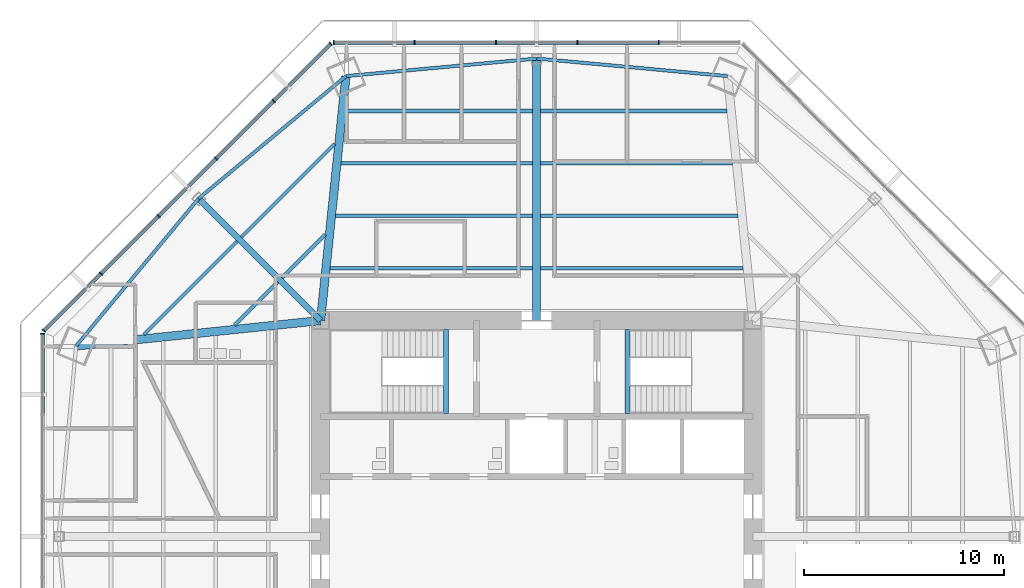
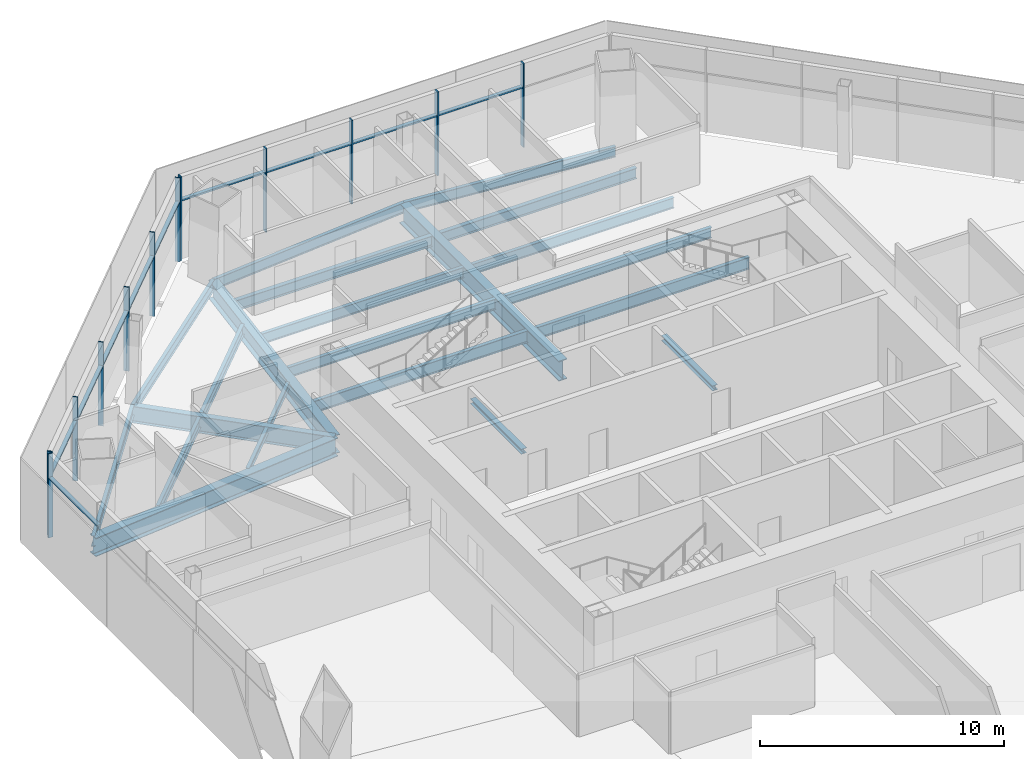
# One storey, part 5 of 14: 22 beams, 22 members, 3 elements without a shape of their own.
"""IFC4 building model written with IfcOpenShell, lengths in metres."""

from ifc_helpers import new_model, si_unit, direction, frame, origin, origin_2d, place, context, subcontext, project, spatial, rectangle, i_section, extrude, source, transform, mapped, material, material_profile, profile_set, type_object, type_shapes, element, aggregate, save


model = new_model("IFC4")

# Units and contexts
model_context = context("Model", 3, precision=1e-05, world=origin(), true_north=direction((0.0, 1.0)))
body_context = subcontext(model_context, "Body", "Model", "MODEL_VIEW")
ifc_project = project(units=[si_unit("LENGTHUNIT", "METRE"), si_unit("AREAUNIT", "SQUARE_METRE"), si_unit("VOLUMEUNIT", "CUBIC_METRE"), si_unit("PLANEANGLEUNIT", "RADIAN"), si_unit("MASSUNIT", "GRAM", prefix="KILO")], contexts=[model_context])

# Site, building, storey
site_placement = place(None, origin())
site = spatial("IfcSite", under=ifc_project, at=site_placement, CompositionType="ELEMENT")
building_placement = place(site_placement, origin())
building = spatial("IfcBuilding", under=site, at=building_placement, Name="Mashrafa Tower", CompositionType="ELEMENT")
storey_placement = place(building_placement, frame((0.0, 0.0, 117.60009765625)))
storey = spatial("IfcBuildingStorey", under=building, at=storey_placement, Name="L26", CompositionType="ELEMENT", Elevation=117.60009765625)

# Beams
ifc_material_1 = material(Name="Steel ASTM A992", Category="steel")
ifc_material_profile_1 = material_profile(ifc_material_1, i_section(OverallWidth=0.164794921875, OverallDepth=0.309814453125, WebThickness=0.005859375, FlangeThickness=0.009765625, FilletRadius=0.007568359375, at=origin_2d()), Name="W12X26")
ifc_profile_set_1 = profile_set([ifc_material_profile_1], Name="Steel ASTM A992")
beam_type_1 = type_object("IfcBeamType", Name="Beam W12X26", PredefinedType="BEAM", material=ifc_profile_set_1)
for number, where, z_axis, x_axis, name in (
    (1, (-15.098388671875, 10.564697265625, -0.320068359375), (0.707106781187, 0.707106781187, 0.0), (-0.707106781187, 0.707106781187, 0.0), "Floor beam L26 008"),
    (2, (-12.728271484375, 12.934814453125, -0.320068359375), (0.707106781187, 0.707106781187, 0.0), (-0.707106781187, 0.707106781187, 0.0), "Floor beam L26 014"),
):
    element("IfcBeam", number, at=place(storey_placement, frame(where, z_axis=z_axis, x_axis=x_axis)), inside=storey, type_object=beam_type_1, Name=name, PredefinedType="BEAM", context=body_context, shape_type="SweptSolid", body=[
        extrude(i_section(OverallWidth=0.164794921875, OverallDepth=0.309814453125, WebThickness=0.005859375, FlangeThickness=0.009765625, FilletRadius=0.007568359375, at=origin_2d()), origin(), (0.0, 0.0, 1.0), 3.059814453125),
    ])
ifc_material_2 = material(Name="Steel ASTM A992", Category="steel")
ifc_material_profile_2 = material_profile(ifc_material_2, i_section(OverallWidth=0.1650390625, OverallDepth=0.52587890625, WebThickness=0.0087890625, FlangeThickness=0.011474609375, FilletRadius=0.0126953125, at=origin_2d()), Name="W21X44")
ifc_profile_set_2 = profile_set([ifc_material_profile_2], Name="Steel ASTM A992")
beam_type_2 = type_object("IfcBeamType", Name="Beam W21X44", PredefinedType="BEAM", material=ifc_profile_set_2)
for number, where, z_axis, x_axis, name in (
    (3, (-19.631591796875, 10.094482421875, -0.427978515625), (0.707106781187, 0.707106781187, 0.0), (-0.707106781187, 0.707106781187, 0.0), "Floor beam L26 003"),
    (4, (-14.759765625, 14.96630859375, -0.427978515625), (0.707106781187, 0.707106781187, 0.0), (-0.707106781187, 0.707106781187, 0.0), "Floor beam L26 010"),
):
    element("IfcBeam", number, at=place(storey_placement, frame(where, z_axis=z_axis, x_axis=x_axis)), inside=storey, type_object=beam_type_2, Name=name, PredefinedType="BEAM", context=body_context, shape_type="SweptSolid", body=[
        extrude(i_section(OverallWidth=0.1650390625, OverallDepth=0.52587890625, WebThickness=0.0087890625, FlangeThickness=0.011474609375, FilletRadius=0.0126953125, at=origin_2d()), origin(), (0.0, 0.0, 1.0), 6.59765625),
    ])
beam_1_placement = place(storey_placement, frame((-10.0458984375, 16.037109375, -0.427978515625), z_axis=(1.0, 0.0, 0.0), x_axis=(0.0, 1.0, 0.0)))
element("IfcBeam", 5, at=beam_1_placement, inside=storey, type_object=beam_type_2, Name="Floor beam L26 017", PredefinedType="BEAM", context=body_context, shape_type="SweptSolid", body=[
    extrude(i_section(OverallWidth=0.1650390625, OverallDepth=0.52587890625, WebThickness=0.0087890625, FlangeThickness=0.011474609375, FilletRadius=0.0126953125, at=origin_2d()), origin(), (0.0, 0.0, 1.0), 9.84521484375),
])
beam_2_placement = place(storey_placement, frame((-9.7744140625, 18.655517578125, -0.427978515625), z_axis=(1.0, 0.0, 0.0), x_axis=(0.0, 1.0, 0.0)))
element("IfcBeam", 6, at=beam_2_placement, inside=storey, type_object=beam_type_2, Name="Floor beam L26 018", PredefinedType="BEAM", context=body_context, shape_type="SweptSolid", body=[
    extrude(i_section(OverallWidth=0.1650390625, OverallDepth=0.52587890625, WebThickness=0.0087890625, FlangeThickness=0.011474609375, FilletRadius=0.0126953125, at=origin_2d()), origin(), (0.0, 0.0, 1.0), 9.57373046875),
])
beam_3_placement = place(storey_placement, frame((0.20068359375, 16.037109375, -0.427978515625), z_axis=(1.0, 0.0, 0.0), x_axis=(0.0, 1.0, 0.0)))
element("IfcBeam", 7, at=beam_3_placement, inside=storey, type_object=beam_type_2, Name="Floor beam L26 026", PredefinedType="BEAM", context=body_context, shape_type="SweptSolid", body=[
    extrude(i_section(OverallWidth=0.1650390625, OverallDepth=0.52587890625, WebThickness=0.0087890625, FlangeThickness=0.011474609375, FilletRadius=0.0126953125, at=origin_2d()), origin(), (0.0, 0.0, 1.0), 9.84521484375),
])
beam_4_placement = place(storey_placement, frame((0.20068359375, 18.655517578125, -0.427978515625), z_axis=(1.0, 0.0, 0.0), x_axis=(0.0, 1.0, 0.0)))
element("IfcBeam", 8, at=beam_4_placement, inside=storey, type_object=beam_type_2, Name="Floor beam L26 027", PredefinedType="BEAM", context=body_context, shape_type="SweptSolid", body=[
    extrude(i_section(OverallWidth=0.1650390625, OverallDepth=0.52587890625, WebThickness=0.0087890625, FlangeThickness=0.011474609375, FilletRadius=0.0126953125, at=origin_2d()), origin(), (0.0, 0.0, 1.0), 9.57373046875),
])
for number, where, z_axis, x_axis, name in (
    (9, (-16.894775390625, 16.894775390625, -0.427978515625), (-0.639245764608, -0.769002504827, 0.0), (0.769002504827, -0.639245764608, 0.0), "Spandrel beam L26 069"),
    (10, (-9.532958984375, 23.014404296875, -0.427978515625), (-0.769002504827, -0.639245764608, 0.0), (0.639245764608, -0.769002504827, 0.0), "Spandrel beam L26 071"),
    (11, (0.0, 23.892578125, -0.427978515625), (-0.995783790864, -0.091731356973, 0.0), (0.091731356973, -0.995783790864, 0.0), "Spandrel beam L26 073"),
    (12, (9.532958984375, 23.014404296875, -0.427978515625), (-0.995783790864, 0.091731356973, 0.0), (-0.091731356973, -0.995783790864, 0.0), "Spandrel beam L26 075"),
):
    element("IfcBeam", number, at=place(storey_placement, frame(where, z_axis=z_axis, x_axis=x_axis)), inside=storey, type_object=beam_type_2, Name=name, PredefinedType="BEAM", context=body_context, shape_type="SweptSolid", body=[
        extrude(i_section(OverallWidth=0.1650390625, OverallDepth=0.52587890625, WebThickness=0.0087890625, FlangeThickness=0.011474609375, FilletRadius=0.0126953125, at=origin_2d()), origin(), (0.0, 0.0, 1.0), 9.5732421875),
    ])
ifc_material_3 = material(Name="Steel ASTM A992", Category="steel")
ifc_material_profile_3 = material_profile(ifc_material_3, i_section(OverallWidth=0.209228515625, OverallDepth=0.533447265625, WebThickness=0.01025390625, FlangeThickness=0.015625, FilletRadius=0.012939453125, at=origin_2d()), Name="W21X62")
ifc_profile_set_3 = profile_set([ifc_material_profile_3], Name="Steel ASTM A992")
beam_type_3 = type_object("IfcBeamType", Name="Beam W21X62", PredefinedType="BEAM", material=ifc_profile_set_3)
for number, where, z_axis, x_axis, name in (
    (13, (-9.502685546875, 21.274169921875, -0.431884765625), (1.0, 0.0, 0.0), (0.0, 1.0, 0.0), "Floor beam L26 020"),
    (14, (0.20068359375, 21.274169921875, -0.431884765625), (1.0, 0.0, 0.0), (0.0, 1.0, 0.0), "Floor beam L26 028"),
):
    element("IfcBeam", number, at=place(storey_placement, frame(where, z_axis=z_axis, x_axis=x_axis)), inside=storey, type_object=beam_type_3, Name=name, PredefinedType="BEAM", context=body_context, shape_type="SweptSolid", body=[
        extrude(i_section(OverallWidth=0.209228515625, OverallDepth=0.533447265625, WebThickness=0.01025390625, FlangeThickness=0.015625, FilletRadius=0.012939453125, at=origin_2d()), origin(), (0.0, 0.0, 1.0), 9.302001953125),
    ])
ifc_material_4 = material(Name="Steel ASTM A992", Category="steel")
ifc_material_profile_4 = material_profile(ifc_material_4, i_section(OverallWidth=0.177978515625, OverallDepth=0.599365234375, WebThickness=0.010009765625, FlangeThickness=0.012939453125, FilletRadius=0.012939453125, at=origin_2d()), Name="W24X55")
ifc_profile_set_4 = profile_set([ifc_material_profile_4], Name="Steel ASTM A992")
beam_type_4 = type_object("IfcBeamType", Name="Beam W24X55", PredefinedType="BEAM", material=ifc_profile_set_4)
for number, where, z_axis, x_axis, name in (
    (15, (-10.317626953125, 13.41845703125, -0.46484375), (1.0, 0.0, 0.0), (0.0, 1.0, 0.0), "Floor beam L26 015"),
    (16, (0.20068359375, 13.41845703125, -0.46484375), (1.0, 0.0, 0.0), (0.0, 1.0, 0.0), "Floor beam L26 025"),
):
    element("IfcBeam", number, at=place(storey_placement, frame(where, z_axis=z_axis, x_axis=x_axis)), inside=storey, type_object=beam_type_4, Name=name, PredefinedType="BEAM", context=body_context, shape_type="SweptSolid", body=[
        extrude(i_section(OverallWidth=0.177978515625, OverallDepth=0.599365234375, WebThickness=0.010009765625, FlangeThickness=0.012939453125, FilletRadius=0.012939453125, at=origin_2d()), origin(), (0.0, 0.0, 1.0), 10.116943359375),
    ])
ifc_material_5 = material(Name="Steel ASTM A992", Category="steel")
ifc_material_profile_5 = material_profile(ifc_material_5, i_section(OverallWidth=0.2919921875, OverallDepth=0.8408203125, WebThickness=0.0146484375, FlangeThickness=0.021728515625, FilletRadius=0.017333984375, at=origin_2d()), Name="W33X130")
ifc_profile_set_5 = profile_set([ifc_material_profile_5], Name="Steel ASTM A992")
beam_type_5 = type_object("IfcBeamType", Name="Beam W33X130", PredefinedType="BEAM", material=ifc_profile_set_5)
beam_5_placement = place(storey_placement, frame((-10.800048828125, 10.800048828125, -0.58544921875), z_axis=(-0.707106781187, 0.707106781187, 0.0), x_axis=(-0.707106781187, -0.707106781187, 0.0)))
element("IfcBeam", 17, at=beam_5_placement, inside=storey, type_object=beam_type_5, Name="Radial girder L26 054", PredefinedType="BEAM", context=body_context, shape_type="SweptSolid", body=[
    extrude(i_section(OverallWidth=0.2919921875, OverallDepth=0.8408203125, WebThickness=0.0146484375, FlangeThickness=0.021728515625, FilletRadius=0.017333984375, at=origin_2d()), origin(), (0.0, 0.0, 1.0), 8.619140625),
])
ifc_material_6 = material(Name="Steel ASTM A992", Category="steel")
ifc_material_profile_6 = material_profile(ifc_material_6, i_section(OverallWidth=0.419189453125, OverallDepth=0.927001953125, WebThickness=0.019287109375, FlangeThickness=0.031982421875, FilletRadius=0.020263671875, at=origin_2d()), Name="W36X231")
ifc_profile_set_6 = profile_set([ifc_material_profile_6], Name="Steel ASTM A992")
beam_type_6 = type_object("IfcBeamType", Name="Beam W36X231", PredefinedType="BEAM", material=ifc_profile_set_6)
for number, where, z_axis, x_axis, name in (
    (18, (-10.800048828125, 10.800048828125, -0.628662109375), (-0.994662281901, -0.103184034441, 0.0), (0.103184034441, -0.994662281901, 0.0), "Radial girder L26 053"),
    (19, (-10.800048828125, 10.800048828125, -0.628662109375), (0.103184034441, 0.994662281901, 0.0), (-0.994662281901, 0.103184034441, 0.0), "Radial girder L26 055"),
):
    element("IfcBeam", number, at=place(storey_placement, frame(where, z_axis=z_axis, x_axis=x_axis)), inside=storey, type_object=beam_type_6, Name=name, PredefinedType="BEAM", context=body_context, shape_type="SweptSolid", body=[
        extrude(i_section(OverallWidth=0.419189453125, OverallDepth=0.927001953125, WebThickness=0.019287109375, FlangeThickness=0.031982421875, FilletRadius=0.020263671875, at=origin_2d()), origin(), (0.0, 0.0, 1.0), 12.27978515625),
    ])
ifc_material_7 = material(Name="Steel ASTM A992", Category="steel")
ifc_material_profile_7 = material_profile(ifc_material_7, i_section(OverallWidth=0.4013671875, OverallDepth=1.010986328125, WebThickness=0.023681640625, FlangeThickness=0.0419921875, FilletRadius=0.02001953125, at=origin_2d()), Name="W40X297")
ifc_profile_set_7 = profile_set([ifc_material_profile_7], Name="Steel ASTM A992")
beam_type_7 = type_object("IfcBeamType", Name="Beam W40X297", PredefinedType="BEAM", material=ifc_profile_set_7)
beam_6_placement = place(storey_placement, frame((0.0, 10.800048828125, -0.670654296875), z_axis=(0.0, 1.0, 0.0), x_axis=(-1.0, 0.0, 0.0)))
element("IfcBeam", 20, at=beam_6_placement, inside=storey, type_object=beam_type_7, Name="Radial girder L26 057", PredefinedType="BEAM", context=body_context, shape_type="SweptSolid", body=[
    extrude(i_section(OverallWidth=0.4013671875, OverallDepth=1.010986328125, WebThickness=0.023681640625, FlangeThickness=0.0419921875, FilletRadius=0.02001953125, at=origin_2d()), origin(), (0.0, 0.0, 1.0), 13.092529296875),
])
ifc_material_8 = material(Name="Steel ASTM A992", Category="steel")
ifc_material_profile_8 = material_profile(ifc_material_8, i_section(OverallWidth=0.25390625, OverallDepth=0.25390625, WebThickness=0.008544921875, FlangeThickness=0.01416015625, FilletRadius=0.010009765625, at=origin_2d()), Name="W10X49")
ifc_profile_set_8 = profile_set([ifc_material_profile_8], Name="Steel ASTM A992")
beam_type_8 = type_object("IfcBeamType", Name="Hoistway beam W10X49", PredefinedType="BEAM", material=ifc_profile_set_8)
for number, where, z_axis, x_axis, name in (
    (21, (-4.530029296875, 6.14990234375, -0.3271484375), (0.0, 1.0, 0.0), (-1.0, 0.0, 0.0), "Stair S1 landing beam L26"),
    (22, (4.530029296875, 6.14990234375, -0.3271484375), (0.0, 1.0, 0.0), (-1.0, 0.0, 0.0), "Stair S2 landing beam L26"),
):
    element("IfcBeam", number, at=place(storey_placement, frame(where, z_axis=z_axis, x_axis=x_axis)), inside=storey, type_object=beam_type_8, Name=name, PredefinedType="BEAM", context=body_context, shape_type="SweptSolid", body=[
        extrude(i_section(OverallWidth=0.25390625, OverallDepth=0.25390625, WebThickness=0.008544921875, FlangeThickness=0.01416015625, FilletRadius=0.010009765625, at=origin_2d()), origin(), (0.0, 0.0, 1.0), 4.2001953125),
    ])

# Curtain wall, members
ifc_material_9 = material(Name="Unitised aluminium curtain wall", Category="aluminium")
curtain_wall_type = type_object("IfcCurtainWallType", Name="Office curtain wall, zone 2 CW-B 225 deep", PredefinedType="NOTDEFINED", material=ifc_material_9)
curtain_wall_1_placement = place(storey_placement, origin())
curtain_wall_1 = element("IfcCurtainWall", 23, at=curtain_wall_1_placement, inside=storey, type_object=curtain_wall_type, Name="Office curtain wall, zone 2 L26 north", PredefinedType="NOTDEFINED")
ifc_material_10 = material(Name="Extruded aluminium mullion", Category="aluminium")
ifc_material_profile_9 = material_profile(ifc_material_10, rectangle(XDim=0.22509765625, YDim=0.06494140625, at=origin_2d()), Name="Mullion 65x225")
ifc_profile_set_9 = profile_set([ifc_material_profile_9], Name="Extruded aluminium mullion")
member_type_1 = type_object("IfcMemberType", Name="Mullion CW-B 65 x 225", PredefinedType="MULLION", material=ifc_profile_set_9)
shared_shape_1 = source(origin(), body_context, "Body", "SweptSolid", [
    extrude(rectangle(XDim=0.22509765625, YDim=0.06494140625, at=origin_2d()), origin(), (0.0, 0.0, 1.0), 4.199951171875),
])
type_shapes(member_type_1, [shared_shape_1])
member_1_placement = place(storey_placement, frame((6.101806640625, 24.68798828125, 0.0), z_axis=(0.0, 0.0, 1.0), x_axis=(0.0, -1.0, 0.0)))
member_1 = element("IfcMember", 24, at=member_1_placement, type_object=member_type_1, Name="CW-B mullion 2", PredefinedType="MULLION", context=body_context, shape_type="MappedRepresentation", body=[
    mapped(shared_shape_1, transform((0.0, 0.0, 0.0))),
])
member_2_placement = place(storey_placement, frame((2.033935546875, 24.68798828125, 0.0), z_axis=(0.0, 0.0, 1.0), x_axis=(0.0, -1.0, 0.0)))
member_2 = element("IfcMember", 25, at=member_2_placement, type_object=member_type_1, Name="CW-B mullion 3", PredefinedType="MULLION", context=body_context, shape_type="MappedRepresentation", body=[
    mapped(shared_shape_1, transform((0.0, 0.0, 0.0))),
])
member_3_placement = place(storey_placement, frame((-2.033935546875, 24.68798828125, 0.0), z_axis=(0.0, 0.0, 1.0), x_axis=(0.0, -1.0, 0.0)))
member_3 = element("IfcMember", 26, at=member_3_placement, type_object=member_type_1, Name="CW-B mullion 4", PredefinedType="MULLION", context=body_context, shape_type="MappedRepresentation", body=[
    mapped(shared_shape_1, transform((0.0, 0.0, 0.0))),
])
member_4_placement = place(storey_placement, frame((-6.101806640625, 24.68798828125, 0.0), z_axis=(0.0, 0.0, 1.0), x_axis=(0.0, -1.0, 0.0)))
member_4 = element("IfcMember", 27, at=member_4_placement, type_object=member_type_1, Name="CW-B mullion 5", PredefinedType="MULLION", context=body_context, shape_type="MappedRepresentation", body=[
    mapped(shared_shape_1, transform((0.0, 0.0, 0.0))),
])
member_5_placement = place(storey_placement, frame((-10.136962890625, 24.68798828125, 0.0), z_axis=(0.0, 0.0, 1.0), x_axis=(0.0, -1.0, 0.0)))
member_5 = element("IfcMember", 28, at=member_5_placement, type_object=member_type_1, Name="CW-B mullion 6", PredefinedType="MULLION", context=body_context, shape_type="MappedRepresentation", body=[
    mapped(shared_shape_1, transform((0.0, 0.0, 0.0))),
])

curtain_wall_2_placement = place(storey_placement, origin())
curtain_wall_2 = element("IfcCurtainWall", 29, at=curtain_wall_2_placement, inside=storey, type_object=curtain_wall_type, Name="Office curtain wall, zone 2 L26 north-west", PredefinedType="NOTDEFINED")
member_6_placement = place(storey_placement, frame((-10.2890625, 24.625, 0.0), z_axis=(0.0, 0.0, 1.0), x_axis=(0.707106781187, -0.707106781187, 0.0)))
member_6 = element("IfcMember", 30, at=member_6_placement, type_object=member_type_1, Name="CW-B mullion 1", PredefinedType="MULLION", context=body_context, shape_type="MappedRepresentation", body=[
    mapped(shared_shape_1, transform((0.0, 0.0, 0.0))),
])
member_7_placement = place(storey_placement, frame((-13.142578125, 21.771484375, 0.0), z_axis=(0.0, 0.0, 1.0), x_axis=(0.707106781187, -0.707106781187, 0.0)))
member_7 = element("IfcMember", 31, at=member_7_placement, type_object=member_type_1, Name="CW-B mullion 2", PredefinedType="MULLION", context=body_context, shape_type="MappedRepresentation", body=[
    mapped(shared_shape_1, transform((0.0, 0.0, 0.0))),
])
member_8_placement = place(storey_placement, frame((-16.018798828125, 18.895263671875, 0.0), z_axis=(0.0, 0.0, 1.0), x_axis=(0.707106781187, -0.707106781187, 0.0)))
member_8 = element("IfcMember", 32, at=member_8_placement, type_object=member_type_1, Name="CW-B mullion 3", PredefinedType="MULLION", context=body_context, shape_type="MappedRepresentation", body=[
    mapped(shared_shape_1, transform((0.0, 0.0, 0.0))),
])
member_9_placement = place(storey_placement, frame((-18.895263671875, 16.018798828125, 0.0), z_axis=(0.0, 0.0, 1.0), x_axis=(0.707106781187, -0.707106781187, 0.0)))
member_9 = element("IfcMember", 33, at=member_9_placement, type_object=member_type_1, Name="CW-B mullion 4", PredefinedType="MULLION", context=body_context, shape_type="MappedRepresentation", body=[
    mapped(shared_shape_1, transform((0.0, 0.0, 0.0))),
])
member_10_placement = place(storey_placement, frame((-21.771484375, 13.142578125, 0.0), z_axis=(0.0, 0.0, 1.0), x_axis=(0.707106781187, -0.707106781187, 0.0)))
member_10 = element("IfcMember", 34, at=member_10_placement, type_object=member_type_1, Name="CW-B mullion 5", PredefinedType="MULLION", context=body_context, shape_type="MappedRepresentation", body=[
    mapped(shared_shape_1, transform((0.0, 0.0, 0.0))),
])
member_11_placement = place(storey_placement, frame((-24.625, 10.2890625, 0.0), z_axis=(0.0, 0.0, 1.0), x_axis=(0.707106781187, -0.707106781187, 0.0)))
member_11 = element("IfcMember", 35, at=member_11_placement, type_object=member_type_1, Name="CW-B mullion 6", PredefinedType="MULLION", context=body_context, shape_type="MappedRepresentation", body=[
    mapped(shared_shape_1, transform((0.0, 0.0, 0.0))),
])

# Curtain wall, member
curtain_wall_3_placement = place(storey_placement, origin())
curtain_wall_3 = element("IfcCurtainWall", 36, at=curtain_wall_3_placement, inside=storey, type_object=curtain_wall_type, Name="Office curtain wall, zone 2 L26 west", PredefinedType="NOTDEFINED")
member_12_placement = place(storey_placement, frame((-24.68798828125, 10.136962890625, 0.0), z_axis=(0.0, 0.0, 1.0), x_axis=(1.0, 0.0, 0.0)))
member_12 = element("IfcMember", 37, at=member_12_placement, type_object=member_type_1, Name="CW-B mullion 1", PredefinedType="MULLION", context=body_context, shape_type="MappedRepresentation", body=[
    mapped(shared_shape_1, transform((0.0, 0.0, 0.0))),
])

# Member
ifc_material_11 = material(Name="Extruded aluminium transom", Category="aluminium")
ifc_material_profile_10 = material_profile(ifc_material_11, rectangle(XDim=0.179931640625, YDim=0.080078125, at=origin_2d()), Name="Transom 80x180")
ifc_profile_set_10 = profile_set([ifc_material_profile_10], Name="Extruded aluminium transom")
member_type_2 = type_object("IfcMemberType", Name="Transom CW-B 80 x 180", PredefinedType="MULLION", material=ifc_profile_set_10)
shared_shape_2 = source(origin(), body_context, "Body", "SweptSolid", [
    extrude(rectangle(XDim=0.179931640625, YDim=0.080078125, at=origin_2d()), origin(), (0.0, 0.0, 1.0), 3.97021484375),
])
member_13_placement = place(storey_placement, frame((-6.13427734375, 24.68798828125, 3.0), z_axis=(-1.0, 0.0, 0.0), x_axis=(0.0, -1.0, 0.0)))
member_13 = element("IfcMember", 38, at=member_13_placement, type_object=member_type_2, Name="CW-B transom 5", PredefinedType="MULLION", context=body_context, shape_type="MappedRepresentation", body=[
    mapped(shared_shape_2, transform((0.0, 0.0, 0.0))),
])

member_14_placement = place(storey_placement, frame((-10.31201171875, 24.60205078125, 3.0), z_axis=(-0.707106781187, -0.707106781187, 0.0), x_axis=(0.707106781187, -0.707106781187, 0.0)))
member_14 = element("IfcMember", 39, at=member_14_placement, type_object=member_type_2, Name="CW-B transom 1", PredefinedType="MULLION", context=body_context, shape_type="MappedRepresentation", body=[
    mapped(shared_shape_2, transform((0.0, 0.0, 0.0))),
])

member_15_placement = place(storey_placement, frame((-21.794677734375, 13.119384765625, 3.0), z_axis=(-0.707106781187, -0.707106781187, 0.0), x_axis=(0.707106781187, -0.707106781187, 0.0)))
member_15 = element("IfcMember", 40, at=member_15_placement, type_object=member_type_2, Name="CW-B transom 5", PredefinedType="MULLION", context=body_context, shape_type="MappedRepresentation", body=[
    mapped(shared_shape_2, transform((0.0, 0.0, 0.0))),
])

member_16_placement = place(storey_placement, frame((-24.68798828125, 10.1044921875, 3.0), z_axis=(0.0, -1.0, 0.0), x_axis=(1.0, 0.0, 0.0)))
member_16 = element("IfcMember", 41, at=member_16_placement, type_object=member_type_2, Name="CW-B transom 1", PredefinedType="MULLION", context=body_context, shape_type="MappedRepresentation", body=[
    mapped(shared_shape_2, transform((0.0, 0.0, 0.0))),
])

aggregate(curtain_wall_3, [member_12, member_16])

shared_shape_3 = source(origin(), body_context, "Body", "SweptSolid", [
    extrude(rectangle(XDim=0.179931640625, YDim=0.080078125, at=origin_2d()), origin(), (0.0, 0.0, 1.0), 4.002685546875),
])
member_17_placement = place(storey_placement, frame((6.069091796875, 24.68798828125, 3.0), z_axis=(-1.0, 0.0, 0.0), x_axis=(0.0, -1.0, 0.0)))
member_17 = element("IfcMember", 42, at=member_17_placement, type_object=member_type_2, Name="CW-B transom 2", PredefinedType="MULLION", context=body_context, shape_type="MappedRepresentation", body=[
    mapped(shared_shape_3, transform((0.0, 0.0, 0.0))),
])

member_18_placement = place(storey_placement, frame((-2.06640625, 24.68798828125, 3.0), z_axis=(-1.0, 0.0, 0.0), x_axis=(0.0, -1.0, 0.0)))
member_18 = element("IfcMember", 43, at=member_18_placement, type_object=member_type_2, Name="CW-B transom 4", PredefinedType="MULLION", context=body_context, shape_type="MappedRepresentation", body=[
    mapped(shared_shape_3, transform((0.0, 0.0, 0.0))),
])

member_19_placement = place(storey_placement, frame((-13.16552734375, 21.74853515625, 3.0), z_axis=(-0.707106781187, -0.707106781187, 0.0), x_axis=(0.707106781187, -0.707106781187, 0.0)))
member_19 = element("IfcMember", 44, at=member_19_placement, type_object=member_type_2, Name="CW-B transom 2", PredefinedType="MULLION", context=body_context, shape_type="MappedRepresentation", body=[
    mapped(shared_shape_3, transform((0.0, 0.0, 0.0))),
])

member_20_placement = place(storey_placement, frame((-18.918212890625, 15.995849609375, 3.0), z_axis=(-0.707106781187, -0.707106781187, 0.0), x_axis=(0.707106781187, -0.707106781187, 0.0)))
member_20 = element("IfcMember", 45, at=member_20_placement, type_object=member_type_2, Name="CW-B transom 4", PredefinedType="MULLION", context=body_context, shape_type="MappedRepresentation", body=[
    mapped(shared_shape_3, transform((0.0, 0.0, 0.0))),
])

shared_shape_4 = source(origin(), body_context, "Body", "SweptSolid", [
    extrude(rectangle(XDim=0.179931640625, YDim=0.080078125, at=origin_2d()), origin(), (0.0, 0.0, 1.0), 4.0029296875),
])
type_shapes(member_type_2, [shared_shape_2, shared_shape_3, shared_shape_4])
member_21_placement = place(storey_placement, frame((2.00146484375, 24.68798828125, 3.0), z_axis=(-1.0, 0.0, 0.0), x_axis=(0.0, -1.0, 0.0)))
member_21 = element("IfcMember", 46, at=member_21_placement, type_object=member_type_2, Name="CW-B transom 3", PredefinedType="MULLION", context=body_context, shape_type="MappedRepresentation", body=[
    mapped(shared_shape_4, transform((0.0, 0.0, 0.0))),
])

aggregate(curtain_wall_1, [member_1, member_2, member_3, member_4, member_5, member_17, member_21, member_18, member_13])

member_22_placement = place(storey_placement, frame((-16.041748046875, 18.872314453125, 3.0), z_axis=(-0.707106781187, -0.707106781187, 0.0), x_axis=(0.707106781187, -0.707106781187, 0.0)))
member_22 = element("IfcMember", 47, at=member_22_placement, type_object=member_type_2, Name="CW-B transom 3", PredefinedType="MULLION", context=body_context, shape_type="MappedRepresentation", body=[
    mapped(shared_shape_4, transform((0.0, 0.0, 0.0))),
])

aggregate(curtain_wall_2, [member_6, member_7, member_8, member_9, member_10, member_11, member_14, member_19, member_22, member_20, member_15])

save(model, "model.ifc")
